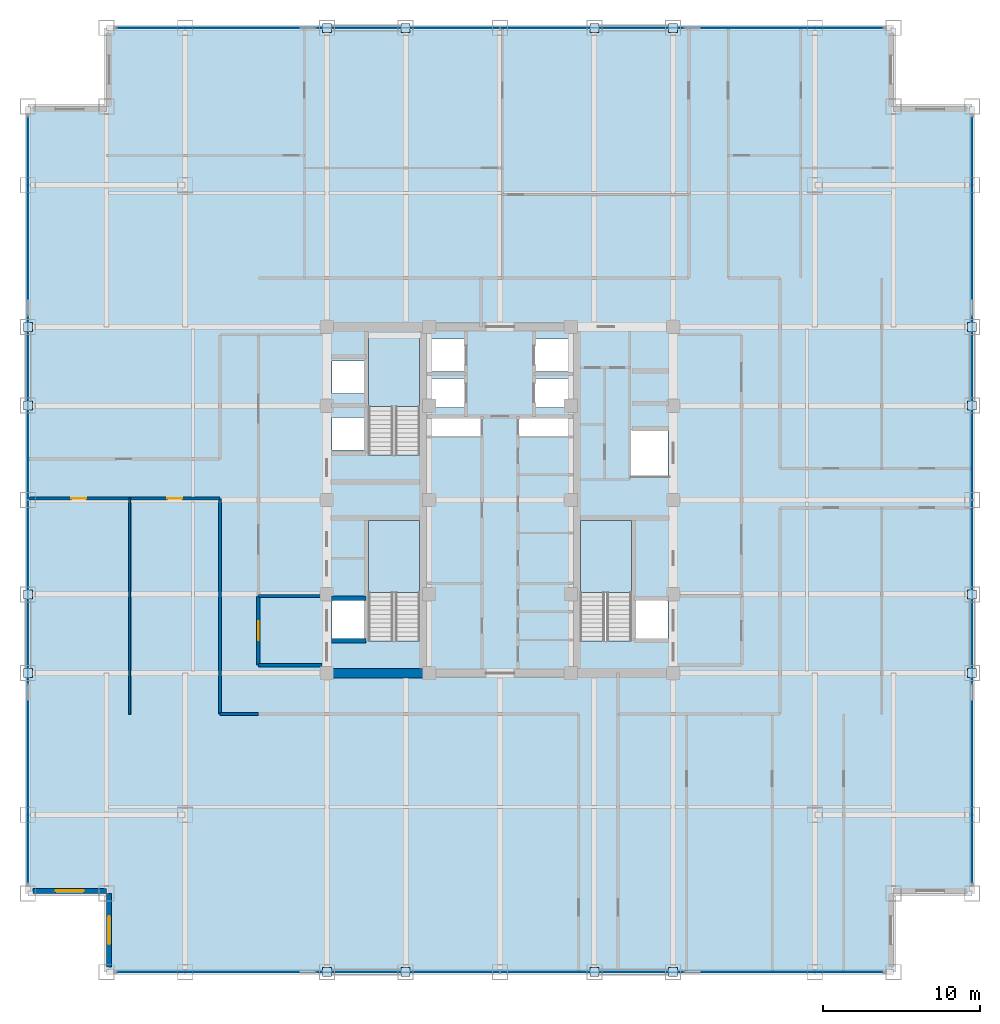
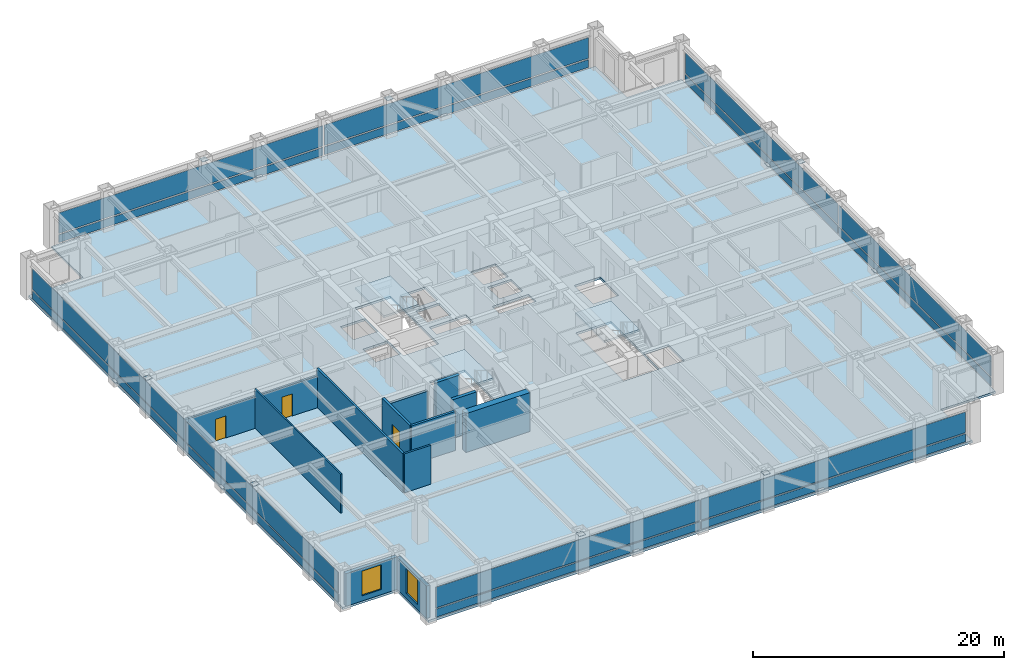
# One storey, part 19 of 25: 32 plates, 12 walls, 4 slabs, 3 doors, 2 windows, 5 openings, 7 elements without a shape of their own.
"""IFC4 building model written with IfcOpenShell, lengths in metres."""

from ifc_helpers import new_model, si_unit, direction, frame, frame_2d, origin, origin_2d, place, context, subcontext, project, spatial, polyline, rectangle, outline, extrude, source, transform, mapped, material, layer, layer_set, type_object, element, fill, aggregate, save


model = new_model("IFC4")

# Units and contexts
model_context = context("Model", 3, precision=1e-05, world=origin(), true_north=direction((0.0, 1.0)))
body_context = subcontext(model_context, "Body", "Model", "MODEL_VIEW")
ifc_project = project(units=[si_unit("LENGTHUNIT", "METRE"), si_unit("AREAUNIT", "SQUARE_METRE"), si_unit("VOLUMEUNIT", "CUBIC_METRE"), si_unit("PLANEANGLEUNIT", "RADIAN"), si_unit("MASSUNIT", "GRAM", prefix="KILO")], contexts=[model_context])

# Site, building, storey
site_placement = place(None, origin())
site = spatial("IfcSite", under=ifc_project, at=site_placement, CompositionType="ELEMENT")
building_placement = place(site_placement, origin())
building = spatial("IfcBuilding", under=site, at=building_placement, Name="Khorayat Bourse Tower", CompositionType="ELEMENT")
storey_placement = place(building_placement, frame((0.0, 0.0, 223.10009765625)))
storey = spatial("IfcBuildingStorey", under=building, at=storey_placement, Name="L52", CompositionType="ELEMENT", Elevation=223.10009765625)

# Stair, slab
ifc_material_1 = material(Name="Concrete C40/50", Category="concrete")
stair_type = type_object("IfcStairType", Name="STR-CORE-1550", PredefinedType="HALF_TURN_STAIR", material=ifc_material_1)
stair_1_placement = place(storey_placement, origin())
stair_1 = element("IfcStair", 1, at=stair_1_placement, inside=storey, type_object=stair_type, Name="L52 Exit Stair ST-1", PredefinedType="HALF_TURN_STAIR")
ifc_layer_1 = layer(ifc_material_1, 0.199951171875)
ifc_layer_set_1 = layer_set([ifc_layer_1], Name="Concrete C40/50")
slab_type_1 = type_object("IfcSlabType", Name="SLB-LANDING-200", PredefinedType="LANDING", material=ifc_layer_set_1)
slab_1_placement = place(storey_placement, frame((0.0, 0.0, 1.7998046875)))
slab_1 = element("IfcSlab", 2, at=slab_1_placement, type_object=slab_type_1, Name="ST-1 landing 1", PredefinedType="LANDING", context=body_context, shape_type="SweptSolid", body=[
    extrude(outline(polyline([(-5.10009765625, -5.8701171875), (-5.10009765625, -1.300048828125), (-8.35009765625, -1.300048828125), (-8.35009765625, -5.8701171875), (-5.10009765625, -5.8701171875)])), origin(), (0.0, 0.0, 1.0), 0.2001953125),
])
aggregate(stair_1, [slab_1])

stair_2_placement = place(storey_placement, origin())
stair_2 = element("IfcStair", 3, at=stair_2_placement, inside=storey, type_object=stair_type, Name="L52 Exit Stair ST-2", PredefinedType="HALF_TURN_STAIR")
slab_2_placement = place(storey_placement, frame((0.0, 0.0, 1.7998046875)))
slab_2 = element("IfcSlab", 4, at=slab_2_placement, type_object=slab_type_1, Name="ST-2 landing 1", PredefinedType="LANDING", context=body_context, shape_type="SweptSolid", body=[
    extrude(outline(polyline([(-5.10009765625, 5.929931640625), (-5.10009765625, 10.5), (-8.35009765625, 10.5), (-8.35009765625, 5.929931640625), (-5.10009765625, 5.929931640625)])), origin(), (0.0, 0.0, 1.0), 0.2001953125),
])
aggregate(stair_2, [slab_2])

stair_3_placement = place(storey_placement, origin())
stair_3 = element("IfcStair", 5, at=stair_3_placement, inside=storey, type_object=stair_type, Name="L52 Exit Stair ST-3", PredefinedType="HALF_TURN_STAIR")
slab_3_placement = place(storey_placement, frame((0.0, 0.0, 1.7998046875)))
slab_3 = element("IfcSlab", 6, at=slab_3_placement, type_object=slab_type_1, Name="ST-3 landing 1", PredefinedType="LANDING", context=body_context, shape_type="SweptSolid", body=[
    extrude(outline(polyline([(8.35009765625, -5.8701171875), (8.35009765625, -1.300048828125), (5.10009765625, -1.300048828125), (5.10009765625, -5.8701171875), (8.35009765625, -5.8701171875)])), origin(), (0.0, 0.0, 1.0), 0.2001953125),
])
aggregate(stair_3, [slab_3])

# Slab
ifc_layer_2 = layer(ifc_material_1, 0.219970703125)
ifc_layer_set_2 = layer_set([ifc_layer_2], Name="Concrete C40/50")
slab_type_2 = type_object("IfcSlabType", Name="SLB-OFFICE-220", PredefinedType="FLOOR", material=ifc_layer_set_2)
slab_4_placement = place(storey_placement, frame((0.0, 0.0, -0.22021484375)))
element("IfcSlab", 7, at=slab_4_placement, inside=storey, type_object=slab_type_2, Name="L52 Main Floor Slab", PredefinedType="FLOOR", context=body_context, shape_type="SweptSolid", body=[
    extrude(outline(polyline([(-25.0, -30.0), (25.0, -30.0), (25.0, -25.0), (30.0, -25.0), (30.0, 25.0), (25.0, 25.0), (25.0, 30.0), (-25.0, 30.0), (-25.0, 25.0), (-30.0, 25.0), (-30.0, -25.0), (-25.0, -25.0), (-25.0, -30.0)]), holes=[polyline([(-8.35009765625, -8.945068359375), (-5.10009765625, -8.945068359375), (-5.10009765625, -1.300048828125), (-8.35009765625, -1.300048828125), (-8.35009765625, -8.945068359375)]), polyline([(-8.35009765625, 2.85498046875), (-5.10009765625, 2.85498046875), (-5.10009765625, 10.5), (-8.35009765625, 10.5), (-8.35009765625, 2.85498046875)]), polyline([(5.10009765625, -8.945068359375), (8.35009765625, -8.945068359375), (8.35009765625, -1.300048828125), (5.10009765625, -1.300048828125), (5.10009765625, -8.945068359375)]), polyline([(-4.3798828125, 8.169921875), (-2.1201171875, 8.169921875), (-2.1201171875, 10.22998046875), (-4.3798828125, 10.22998046875), (-4.3798828125, 8.169921875)]), polyline([(2.1201171875, 8.169921875), (4.3798828125, 8.169921875), (4.3798828125, 10.22998046875), (2.1201171875, 10.22998046875), (2.1201171875, 8.169921875)]), polyline([(-4.3798828125, 5.8701171875), (-2.219970703125, 5.8701171875), (-2.219970703125, 7.72998046875), (-4.3798828125, 7.72998046875), (-4.3798828125, 5.8701171875)]), polyline([(2.219970703125, 5.8701171875), (4.3798828125, 5.8701171875), (4.3798828125, 7.72998046875), (2.219970703125, 7.72998046875), (2.219970703125, 5.8701171875)]), polyline([(-10.679931640625, 3.169921875), (-8.419921875, 3.169921875), (-8.419921875, 5.22998046875), (-10.679931640625, 5.22998046875), (-10.679931640625, 3.169921875)]), polyline([(-10.679931640625, 6.77001953125), (-8.419921875, 6.77001953125), (-8.419921875, 8.830078125), (-10.679931640625, 8.830078125), (-10.679931640625, 6.77001953125)]), polyline([(-10.679931640625, -8.929931640625), (-8.419921875, -8.929931640625), (-8.419921875, -6.3701171875), (-10.679931640625, -6.3701171875), (-10.679931640625, -8.929931640625)]), polyline([(8.419921875, -8.929931640625), (10.679931640625, -8.929931640625), (10.679931640625, -6.3701171875), (8.419921875, -6.3701171875), (8.419921875, -8.929931640625)]), polyline([(8.320068359375, 1.52001953125), (10.679931640625, 1.52001953125), (10.679931640625, 4.47998046875), (8.320068359375, 4.47998046875), (8.320068359375, 1.52001953125)]), polyline([(-4.56005859375, 4.080078125), (-1.18994140625, 4.080078125), (-1.18994140625, 5.219970703125), (-4.56005859375, 5.219970703125), (-4.56005859375, 4.080078125)]), polyline([(1.18994140625, 4.080078125), (4.56005859375, 4.080078125), (4.56005859375, 5.219970703125), (1.18994140625, 5.219970703125), (1.18994140625, 4.080078125)])]), origin(), (0.0, 0.0, 1.0), 0.22021484375),
])

# Plates
ifc_material_2 = material(Name="Steel EN 10025-2 S355J2", Category="steel")
ifc_layer_3 = layer(ifc_material_2, 0.02490234375)
ifc_layer_set_3 = layer_set([ifc_layer_3], Name="Steel EN 10025-2 S355J2")
plate_type_1 = type_object("IfcPlateType", Name="PLT-ENDCAP-25", PredefinedType="SHEET", material=ifc_layer_set_3)
shared_shape_1 = source(origin(), body_context, "Body", "SweptSolid", [
    extrude(rectangle(XDim=0.56005859375, YDim=0.56005859375, at=origin_2d()), origin(), (0.0, 0.0, 1.0), 0.02490234375),
])
for number, where, z_axis, x_axis, name in (
    (8, (-11.0, -30.0, 3.517333984375), (0.0, 0.0, 1.0), (1.0, 0.0, 0.0), "L52 Perimeter Brace End Plate 001"),
    (9, (-6.0, -30.0, 0.237548828125), (0.0, 0.0, 1.0), (1.0, 0.0, 0.0), "L52 Perimeter Brace End Plate 002"),
    (10, (6.0, -30.0, 3.517333984375), (0.0, 0.0, 1.0), (1.0, 0.0, 0.0), "L52 Perimeter Brace End Plate 003"),
    (11, (11.0, -30.0, 0.237548828125), (0.0, 0.0, 1.0), (1.0, 0.0, 0.0), "L52 Perimeter Brace End Plate 004"),
    (12, (-11.0, 30.0, 3.517333984375), (0.0, 0.0, 1.0), (1.0, 0.0, 0.0), "L52 Perimeter Brace End Plate 005"),
    (13, (-6.0, 30.0, 0.237548828125), (0.0, 0.0, 1.0), (1.0, 0.0, 0.0), "L52 Perimeter Brace End Plate 006"),
    (14, (6.0, 30.0, 3.517333984375), (0.0, 0.0, 1.0), (1.0, 0.0, 0.0), "L52 Perimeter Brace End Plate 007"),
    (15, (11.0, 30.0, 0.237548828125), (0.0, 0.0, 1.0), (1.0, 0.0, 0.0), "L52 Perimeter Brace End Plate 008"),
    (16, (-30.0, -11.0, 3.517333984375), (0.0, 0.0, 1.0), (1.0, 0.0, 0.0), "L52 Perimeter Brace End Plate 009"),
    (17, (-30.0, -6.0, 0.237548828125), (0.0, 0.0, 1.0), (1.0, 0.0, 0.0), "L52 Perimeter Brace End Plate 010"),
    (18, (-30.0, 6.0, 3.517333984375), (0.0, 0.0, 1.0), (1.0, 0.0, 0.0), "L52 Perimeter Brace End Plate 011"),
    (19, (-30.0, 11.0, 0.237548828125), (0.0, 0.0, 1.0), (1.0, 0.0, 0.0), "L52 Perimeter Brace End Plate 012"),
    (20, (30.0, -11.0, 3.517333984375), (0.0, 0.0, 1.0), (1.0, 0.0, 0.0), "L52 Perimeter Brace End Plate 013"),
    (21, (30.0, -6.0, 0.237548828125), (0.0, 0.0, 1.0), (1.0, 0.0, 0.0), "L52 Perimeter Brace End Plate 014"),
    (22, (30.0, 6.0, 3.517333984375), (0.0, 0.0, 1.0), (1.0, 0.0, 0.0), "L52 Perimeter Brace End Plate 015"),
    (23, (30.0, 11.0, 0.237548828125), (0.0, 0.0, 1.0), (1.0, 0.0, 0.0), "L52 Perimeter Brace End Plate 016"),
):
    element("IfcPlate", number, at=place(storey_placement, frame(where, z_axis=z_axis, x_axis=x_axis)), inside=storey, type_object=plate_type_1, Name=name, PredefinedType="SHEET", context=body_context, shape_type="MappedRepresentation", body=[
        mapped(shared_shape_1, transform((0.0, 0.0, 0.0), scale=1.0)),
    ])

# Curtain wall, plates
ifc_material_3 = material(Name="Aluminium EN AW-6063 T6", Category="aluminium")
curtain_wall_type = type_object("IfcCurtainWallType", Name="CW-SYS-03", PredefinedType="NOTDEFINED", material=ifc_material_3)
curtain_wall_1_placement = place(storey_placement, origin())
curtain_wall_1 = element("IfcCurtainWall", 24, at=curtain_wall_1_placement, inside=storey, type_object=curtain_wall_type, Name="L52 Curtain Wall CW-L52-S1", PredefinedType="NOTDEFINED")
ifc_material_4 = material(Name="Honed desert limestone insulated spandrel", Category="masonry")
ifc_layer_4 = layer(ifc_material_4, 0.06494140625)
ifc_layer_set_4 = layer_set([ifc_layer_4], Name="Honed desert limestone insulated spandrel")
plate_type_2 = type_object("IfcPlateType", Name="CWP-SPAND-03", PredefinedType="CURTAIN_PANEL", material=ifc_layer_set_4)
shared_shape_2 = source(origin(), body_context, "Body", "SweptSolid", [
    extrude(rectangle(XDim=24.27001953125, YDim=0.06494140625, at=origin_2d()), origin(), (0.0, 0.0, 1.0), 0.77001953125),
])
plate_1_placement = place(storey_placement, frame((-12.195068359375, -30.0, 0.119873046875), z_axis=(0.0, 0.0, 1.0), x_axis=(1.0, 0.0, 0.0)))
plate_1 = element("IfcPlate", 25, at=plate_1_placement, type_object=plate_type_2, Name="CW-L52-S1 Spandrel Panel 1-1", PredefinedType="CURTAIN_PANEL", context=body_context, shape_type="MappedRepresentation", body=[
    mapped(shared_shape_2, transform((0.0, 0.0, 0.0), scale=1.0)),
])
plate_2_placement = place(storey_placement, frame((12.195068359375, -30.0, 0.119873046875), z_axis=(0.0, 0.0, 1.0), x_axis=(1.0, 0.0, 0.0)))
plate_2 = element("IfcPlate", 26, at=plate_2_placement, type_object=plate_type_2, Name="CW-L52-S1 Spandrel Panel 2-1", PredefinedType="CURTAIN_PANEL", context=body_context, shape_type="MappedRepresentation", body=[
    mapped(shared_shape_2, transform((0.0, 0.0, 0.0), scale=1.0)),
])

curtain_wall_2_placement = place(storey_placement, origin())
curtain_wall_2 = element("IfcCurtainWall", 27, at=curtain_wall_2_placement, inside=storey, type_object=curtain_wall_type, Name="L52 Curtain Wall CW-L52-N1", PredefinedType="NOTDEFINED")
plate_3_placement = place(storey_placement, frame((-12.195068359375, 30.0, 0.119873046875), z_axis=(0.0, 0.0, 1.0), x_axis=(1.0, 0.0, 0.0)))
plate_3 = element("IfcPlate", 28, at=plate_3_placement, type_object=plate_type_2, Name="CW-L52-N1 Spandrel Panel 1-1", PredefinedType="CURTAIN_PANEL", context=body_context, shape_type="MappedRepresentation", body=[
    mapped(shared_shape_2, transform((0.0, 0.0, 0.0), scale=1.0)),
])
plate_4_placement = place(storey_placement, frame((12.195068359375, 30.0, 0.119873046875), z_axis=(0.0, 0.0, 1.0), x_axis=(1.0, 0.0, 0.0)))
plate_4 = element("IfcPlate", 29, at=plate_4_placement, type_object=plate_type_2, Name="CW-L52-N1 Spandrel Panel 2-1", PredefinedType="CURTAIN_PANEL", context=body_context, shape_type="MappedRepresentation", body=[
    mapped(shared_shape_2, transform((0.0, 0.0, 0.0), scale=1.0)),
])

curtain_wall_3_placement = place(storey_placement, origin())
curtain_wall_3 = element("IfcCurtainWall", 30, at=curtain_wall_3_placement, inside=storey, type_object=curtain_wall_type, Name="L52 Curtain Wall CW-L52-W1", PredefinedType="NOTDEFINED")
plate_5_placement = place(storey_placement, frame((-30.0, -12.195068359375, 0.119873046875), z_axis=(0.0, 0.0, 1.0), x_axis=(0.0, 1.0, 0.0)))
plate_5 = element("IfcPlate", 31, at=plate_5_placement, type_object=plate_type_2, Name="CW-L52-W1 Spandrel Panel 1-1", PredefinedType="CURTAIN_PANEL", context=body_context, shape_type="MappedRepresentation", body=[
    mapped(shared_shape_2, transform((0.0, 0.0, 0.0), scale=1.0)),
])
plate_6_placement = place(storey_placement, frame((-30.0, 12.195068359375, 0.119873046875), z_axis=(0.0, 0.0, 1.0), x_axis=(0.0, 1.0, 0.0)))
plate_6 = element("IfcPlate", 32, at=plate_6_placement, type_object=plate_type_2, Name="CW-L52-W1 Spandrel Panel 2-1", PredefinedType="CURTAIN_PANEL", context=body_context, shape_type="MappedRepresentation", body=[
    mapped(shared_shape_2, transform((0.0, 0.0, 0.0), scale=1.0)),
])

curtain_wall_4_placement = place(storey_placement, origin())
curtain_wall_4 = element("IfcCurtainWall", 33, at=curtain_wall_4_placement, inside=storey, type_object=curtain_wall_type, Name="L52 Curtain Wall CW-L52-E1", PredefinedType="NOTDEFINED")
plate_7_placement = place(storey_placement, frame((30.0, -12.195068359375, 0.119873046875), z_axis=(0.0, 0.0, 1.0), x_axis=(0.0, 1.0, 0.0)))
plate_7 = element("IfcPlate", 34, at=plate_7_placement, type_object=plate_type_2, Name="CW-L52-E1 Spandrel Panel 1-1", PredefinedType="CURTAIN_PANEL", context=body_context, shape_type="MappedRepresentation", body=[
    mapped(shared_shape_2, transform((0.0, 0.0, 0.0), scale=1.0)),
])
plate_8_placement = place(storey_placement, frame((30.0, 12.195068359375, 0.119873046875), z_axis=(0.0, 0.0, 1.0), x_axis=(0.0, 1.0, 0.0)))
plate_8 = element("IfcPlate", 35, at=plate_8_placement, type_object=plate_type_2, Name="CW-L52-E1 Spandrel Panel 2-1", PredefinedType="CURTAIN_PANEL", context=body_context, shape_type="MappedRepresentation", body=[
    mapped(shared_shape_2, transform((0.0, 0.0, 0.0), scale=1.0)),
])

# Plate
ifc_material_5 = material(Name="Low-E solar-control laminated double glazing", Category="glass")
ifc_layer_5 = layer(ifc_material_5, 0.035888671875)
ifc_layer_set_5 = layer_set([ifc_layer_5], Name="Low-E solar-control laminated double glazing")
plate_type_3 = type_object("IfcPlateType", Name="CWP-VIS-01", PredefinedType="CURTAIN_PANEL", material=ifc_layer_set_5)
shared_shape_3 = source(origin(), body_context, "Body", "SweptSolid", [
    extrude(rectangle(XDim=24.27001953125, YDim=0.035888671875, at=origin_2d()), origin(), (0.0, 0.0, 1.0), 2.0),
])
plate_9_placement = place(storey_placement, frame((-12.195068359375, -30.0, 1.010009765625), z_axis=(0.0, 0.0, 1.0), x_axis=(1.0, 0.0, 0.0)))
plate_9 = element("IfcPlate", 36, at=plate_9_placement, type_object=plate_type_3, Name="CW-L52-S1 Vision Panel 1-2", PredefinedType="CURTAIN_PANEL", context=body_context, shape_type="MappedRepresentation", body=[
    mapped(shared_shape_3, transform((0.0, 0.0, 0.0), scale=1.0)),
])

plate_10_placement = place(storey_placement, frame((12.195068359375, -30.0, 1.010009765625), z_axis=(0.0, 0.0, 1.0), x_axis=(1.0, 0.0, 0.0)))
plate_10 = element("IfcPlate", 37, at=plate_10_placement, type_object=plate_type_3, Name="CW-L52-S1 Vision Panel 2-2", PredefinedType="CURTAIN_PANEL", context=body_context, shape_type="MappedRepresentation", body=[
    mapped(shared_shape_3, transform((0.0, 0.0, 0.0), scale=1.0)),
])

aggregate(curtain_wall_1, [plate_1, plate_9, plate_2, plate_10])

plate_11_placement = place(storey_placement, frame((-12.195068359375, 30.0, 1.010009765625), z_axis=(0.0, 0.0, 1.0), x_axis=(1.0, 0.0, 0.0)))
plate_11 = element("IfcPlate", 38, at=plate_11_placement, type_object=plate_type_3, Name="CW-L52-N1 Vision Panel 1-2", PredefinedType="CURTAIN_PANEL", context=body_context, shape_type="MappedRepresentation", body=[
    mapped(shared_shape_3, transform((0.0, 0.0, 0.0), scale=1.0)),
])

plate_12_placement = place(storey_placement, frame((12.195068359375, 30.0, 1.010009765625), z_axis=(0.0, 0.0, 1.0), x_axis=(1.0, 0.0, 0.0)))
plate_12 = element("IfcPlate", 39, at=plate_12_placement, type_object=plate_type_3, Name="CW-L52-N1 Vision Panel 2-2", PredefinedType="CURTAIN_PANEL", context=body_context, shape_type="MappedRepresentation", body=[
    mapped(shared_shape_3, transform((0.0, 0.0, 0.0), scale=1.0)),
])

aggregate(curtain_wall_2, [plate_3, plate_11, plate_4, plate_12])

plate_13_placement = place(storey_placement, frame((-30.0, -12.195068359375, 1.010009765625), z_axis=(0.0, 0.0, 1.0), x_axis=(0.0, 1.0, 0.0)))
plate_13 = element("IfcPlate", 40, at=plate_13_placement, type_object=plate_type_3, Name="CW-L52-W1 Vision Panel 1-2", PredefinedType="CURTAIN_PANEL", context=body_context, shape_type="MappedRepresentation", body=[
    mapped(shared_shape_3, transform((0.0, 0.0, 0.0), scale=1.0)),
])

plate_14_placement = place(storey_placement, frame((-30.0, 12.195068359375, 1.010009765625), z_axis=(0.0, 0.0, 1.0), x_axis=(0.0, 1.0, 0.0)))
plate_14 = element("IfcPlate", 41, at=plate_14_placement, type_object=plate_type_3, Name="CW-L52-W1 Vision Panel 2-2", PredefinedType="CURTAIN_PANEL", context=body_context, shape_type="MappedRepresentation", body=[
    mapped(shared_shape_3, transform((0.0, 0.0, 0.0), scale=1.0)),
])

aggregate(curtain_wall_3, [plate_5, plate_13, plate_6, plate_14])

plate_15_placement = place(storey_placement, frame((30.0, -12.195068359375, 1.010009765625), z_axis=(0.0, 0.0, 1.0), x_axis=(0.0, 1.0, 0.0)))
plate_15 = element("IfcPlate", 42, at=plate_15_placement, type_object=plate_type_3, Name="CW-L52-E1 Vision Panel 1-2", PredefinedType="CURTAIN_PANEL", context=body_context, shape_type="MappedRepresentation", body=[
    mapped(shared_shape_3, transform((0.0, 0.0, 0.0), scale=1.0)),
])

plate_16_placement = place(storey_placement, frame((30.0, 12.195068359375, 1.010009765625), z_axis=(0.0, 0.0, 1.0), x_axis=(0.0, 1.0, 0.0)))
plate_16 = element("IfcPlate", 43, at=plate_16_placement, type_object=plate_type_3, Name="CW-L52-E1 Vision Panel 2-2", PredefinedType="CURTAIN_PANEL", context=body_context, shape_type="MappedRepresentation", body=[
    mapped(shared_shape_3, transform((0.0, 0.0, 0.0), scale=1.0)),
])

aggregate(curtain_wall_4, [plate_7, plate_15, plate_8, plate_16])

# Wall
ifc_material_6 = material(Name="Concrete C60/75", Category="concrete")
ifc_layer_6 = layer(ifc_material_6, 0.60009765625)
ifc_layer_set_6 = layer_set([ifc_layer_6], Name="Concrete C60/75")
wall_type_1 = type_object("IfcWallType", Name="WAL-CORE-600", PredefinedType="SHEAR", material=ifc_layer_set_6)
shared_shape_4 = source(origin(), body_context, "Body", "SweptSolid", [
    extrude(rectangle(XDim=5.89990234375, YDim=0.60009765625, at=frame_2d((2.949951171875, 0.0))), origin(), (0.0, 0.0, 1.0), 3.77978515625),
])
wall_1_placement = place(storey_placement, frame((-10.75, -11.0, 0.0), z_axis=(0.0, 0.0, 1.0), x_axis=(1.0, 0.0, 0.0)))
element("IfcWall", 44, at=wall_1_placement, inside=storey, type_object=wall_type_1, Name="L52 Core Shear Wall PIER-WS", PredefinedType="SHEAR", context=body_context, shape_type="MappedRepresentation", body=[
    mapped(shared_shape_4, transform((0.0, 0.0, 0.0), scale=1.0)),
])

# Wall, opening, window
ifc_material_7 = material(Name="Precast concrete C45/55", Category="concrete")
ifc_layer_7 = layer(ifc_material_7, 0.320068359375)
ifc_layer_set_7 = layer_set([ifc_layer_7], Name="Precast concrete C45/55")
wall_type_2 = type_object("IfcWallType", Name="WAL-EXT-STONE-320", PredefinedType="STANDARD", material=ifc_layer_set_7)
shared_shape_5 = source(origin(), body_context, "Body", "SweptSolid", [
    extrude(rectangle(XDim=4.679931640625, YDim=0.320068359375, at=frame_2d((2.33984375, 0.0))), origin(), (0.0, 0.0, 1.0), 3.163818359375),
])
wall_2_placement = place(storey_placement, frame((-25.0, -24.840087890625, 0.0), z_axis=(0.0, 0.0, 1.0), x_axis=(-1.0, 0.0, 0.0)))
wall_2 = element("IfcWall", 45, at=wall_2_placement, inside=storey, type_object=wall_type_2, Name="L52 Re-Entrant Notch Limestone Wall SW-H", PredefinedType="STANDARD", context=body_context, shape_type="MappedRepresentation", body=[
    mapped(shared_shape_5, transform((0.0, 0.0, 0.0), scale=1.0)),
])
shared_shape_6 = source(origin(), body_context, "Body", "SweptSolid", [
    extrude(rectangle(XDim=1.800048828125, YDim=2.39990234375, at=frame_2d((0.89990234375, 1.199951171875))), frame((0.0, 0.169921875, 0.0), z_axis=(0.0, -1.0, 0.0), x_axis=(1.0, 0.0, 0.0)), (0.0, 0.0, 1.0), 0.340087890625),
])
opening_1_placement = place(wall_2_placement, frame((1.43994140625, 0.0, 0.5)))
opening_1 = element("IfcOpeningElement", 46, at=opening_1_placement, cuts=wall_2, Name="Opening WN-04", PredefinedType="OPENING", context=body_context, shape_type="MappedRepresentation", body=[
    mapped(shared_shape_6, transform((0.0, 0.0, 0.0), scale=1.0)),
])
ifc_material_8 = material(Name="Low-E acoustic laminated double glazing", Category="glass")
window_type = type_object("IfcWindowType", Name="WIN-NOTCH-1800x2400", PartitioningType="SINGLE_PANEL", PredefinedType="WINDOW", material=ifc_material_8)
shared_shape_7 = source(origin(), body_context, "Body", "SweptSolid", [
    extrude(rectangle(XDim=1.800048828125, YDim=2.39990234375, at=frame_2d((0.89990234375, 1.199951171875))), frame((0.0, 0.030029296875, 0.0), z_axis=(0.0, -1.0, 0.0), x_axis=(1.0, 0.0, 0.0)), (0.0, 0.0, 1.0), 0.06005859375),
])
window_1_placement = place(opening_1_placement, origin())
window_1 = element("IfcWindow", 47, at=window_1_placement, inside=storey, type_object=window_type, Name="L52 Facade Window 1", OverallHeight=2.39990234375, OverallWidth=1.800048828125, PartitioningType="SINGLE_PANEL", PredefinedType="WINDOW", context=body_context, shape_type="MappedRepresentation", body=[
    mapped(shared_shape_7, transform((0.0, 0.0, 0.0), scale=1.0)),
])
fill(opening_1, window_1)

wall_3_placement = place(storey_placement, frame((-24.840087890625, -29.679931640625, 0.0), z_axis=(0.0, 0.0, 1.0), x_axis=(0.0, 1.0, 0.0)))
wall_3 = element("IfcWall", 48, at=wall_3_placement, inside=storey, type_object=wall_type_2, Name="L52 Re-Entrant Notch Limestone Wall SW-V", PredefinedType="STANDARD", context=body_context, shape_type="MappedRepresentation", body=[
    mapped(shared_shape_5, transform((0.0, 0.0, 0.0), scale=1.0)),
])
opening_2_placement = place(wall_3_placement, frame((1.43994140625, 0.0, 0.5)))
opening_2 = element("IfcOpeningElement", 49, at=opening_2_placement, cuts=wall_3, Name="Opening WN-04", PredefinedType="OPENING", context=body_context, shape_type="MappedRepresentation", body=[
    mapped(shared_shape_6, transform((0.0, 0.0, 0.0), scale=1.0)),
])
window_2_placement = place(opening_2_placement, origin())
window_2 = element("IfcWindow", 50, at=window_2_placement, inside=storey, type_object=window_type, Name="L52 Facade Window 1", OverallHeight=2.39990234375, OverallWidth=1.800048828125, PartitioningType="SINGLE_PANEL", PredefinedType="WINDOW", context=body_context, shape_type="MappedRepresentation", body=[
    mapped(shared_shape_7, transform((0.0, 0.0, 0.0), scale=1.0)),
])
fill(opening_2, window_2)

# Walls
ifc_material_9 = material(Name="Aerated concrete blockwork", Category="masonry")
ifc_layer_8 = layer(ifc_material_9, 0.219970703125)
ifc_layer_set_8 = layer_set([ifc_layer_8], Name="Aerated concrete blockwork")
wall_type_3 = type_object("IfcWallType", Name="WAL-PART-FF-220", PredefinedType="PARTITIONING", material=ifc_layer_set_8)
shared_shape_8 = source(origin(), body_context, "Body", "SweptSolid", [
    extrude(rectangle(XDim=4.050048828125, YDim=0.219970703125, at=frame_2d((2.02490234375, 0.0))), origin(), (0.0, 0.0, 1.0), 3.0849609375),
])
wall_4_placement = place(storey_placement, frame((-15.35009765625, -6.10009765625, 0.0), z_axis=(0.0, 0.0, 1.0), x_axis=(1.0, 0.0, 0.0)))
element("IfcWall", 51, at=wall_4_placement, inside=storey, type_object=wall_type_3, Name="L52 Partition WAL-L52-FFLW-N", PredefinedType="PARTITIONING", context=body_context, shape_type="MappedRepresentation", body=[
    mapped(shared_shape_8, transform((0.0, 0.0, 0.0), scale=1.0)),
])
ifc_material_10 = material(Name="Concrete C50/60", Category="concrete")
ifc_layer_9 = layer(ifc_material_10, 0.300048828125)
ifc_layer_set_9 = layer_set([ifc_layer_9], Name="Concrete C50/60")
wall_type_4 = type_object("IfcWallType", Name="WAL-SHAFT-300", PredefinedType="SHEAR", material=ifc_layer_set_9)
shared_shape_9 = source(origin(), body_context, "Body", "SweptSolid", [
    extrude(rectangle(XDim=2.199951171875, YDim=0.300048828125, at=frame_2d((1.10009765625, 0.0))), origin(), (0.0, 0.0, 1.0), 3.77978515625),
])
for number, where, z_axis, x_axis, name in (
    (52, (-10.699951171875, -8.949951171875, 0.0), (0.0, 0.0, 1.0), (1.0, 0.0, 0.0), "L52 Partition WAL-L52-WPIER-FF1S"),
    (53, (-10.699951171875, -6.25, 0.0), (0.0, 0.0, 1.0), (1.0, 0.0, 0.0), "L52 Partition WAL-L52-WPIER-FF1N"),
):
    element("IfcWall", number, at=place(storey_placement, frame(where, z_axis=z_axis, x_axis=x_axis)), inside=storey, type_object=wall_type_4, Name=name, PredefinedType="SHEAR", context=body_context, shape_type="MappedRepresentation", body=[
        mapped(shared_shape_9, transform((0.0, 0.0, 0.0), scale=1.0)),
    ])
shared_shape_10 = source(origin(), body_context, "Body", "SweptSolid", [
    extrude(rectangle(XDim=4.050048828125, YDim=0.219970703125, at=frame_2d((2.02490234375, 0.0))), origin(), (0.0, 0.0, 1.0), 3.77978515625),
])
wall_5_placement = place(storey_placement, frame((-15.35009765625, -10.5, 0.0), z_axis=(0.0, 0.0, 1.0), x_axis=(1.0, 0.0, 0.0)))
element("IfcWall", 54, at=wall_5_placement, inside=storey, type_object=wall_type_3, Name="L52 Partition WAL-L52-FFLW-S", PredefinedType="PARTITIONING", context=body_context, shape_type="MappedRepresentation", body=[
    mapped(shared_shape_10, transform((0.0, 0.0, 0.0), scale=1.0)),
])

# Wall, opening, door
shared_shape_11 = source(origin(), body_context, "Body", "SweptSolid", [
    extrude(rectangle(XDim=4.39990234375, YDim=0.219970703125, at=frame_2d((2.199951171875, 0.0))), origin(), (0.0, 0.0, 1.0), 3.77978515625),
])
wall_6_placement = place(storey_placement, frame((-15.35009765625, -10.5, 0.0), z_axis=(0.0, 0.0, 1.0), x_axis=(0.0, 1.0, 0.0)))
wall_6 = element("IfcWall", 55, at=wall_6_placement, inside=storey, type_object=wall_type_3, Name="L52 Partition WAL-L52-FFLW-W", PredefinedType="PARTITIONING", context=body_context, shape_type="MappedRepresentation", body=[
    mapped(shared_shape_11, transform((0.0, 0.0, 0.0), scale=1.0)),
])
shared_shape_12 = source(origin(), body_context, "Body", "SweptSolid", [
    extrude(rectangle(XDim=1.199951171875, YDim=2.199951171875, at=frame_2d((0.60009765625, 1.10009765625))), frame((0.0, 0.119873046875, 0.0), z_axis=(0.0, -1.0, 0.0), x_axis=(1.0, 0.0, 0.0)), (0.0, 0.0, 1.0), 0.239990234375),
])
opening_3_placement = place(wall_6_placement, frame((1.60009765625, 0.0, 0.0)))
opening_3 = element("IfcOpeningElement", 56, at=opening_3_placement, cuts=wall_6, Name="Opening DI-02", PredefinedType="OPENING", context=body_context, shape_type="MappedRepresentation", body=[
    mapped(shared_shape_12, transform((0.0, 0.0, 0.0), scale=1.0)),
])
ifc_material_11 = material(Name="Fire-rated steel double-seal leaf", Category="steel")
door_type_1 = type_object("IfcDoorType", Name="DR-INT-FFLOBBY-1200", OperationType="NOTDEFINED", PredefinedType="DOOR", material=ifc_material_11)
shared_shape_13 = source(origin(), body_context, "Body", "SweptSolid", [
    extrude(rectangle(XDim=1.199951171875, YDim=2.199951171875, at=frame_2d((0.60009765625, 1.10009765625))), frame((0.0, 0.02490234375, 0.0), z_axis=(0.0, -1.0, 0.0), x_axis=(1.0, 0.0, 0.0)), (0.0, 0.0, 1.0), 0.050048828125),
])
door_1_placement = place(opening_3_placement, origin())
door_1 = element("IfcDoor", 57, at=door_1_placement, inside=storey, type_object=door_type_1, Name="L52 West Firefighting Lobby Door", OperationType="SINGLE_SWING_LEFT", OverallHeight=2.199951171875, OverallWidth=1.199951171875, PredefinedType="DOOR", context=body_context, shape_type="MappedRepresentation", body=[
    mapped(shared_shape_13, transform((0.0, 0.0, 0.0), scale=1.0)),
])
fill(opening_3, door_1)

# Walls
ifc_material_12 = material(Name="Gypsum plasterboard acoustic stud wall")
ifc_layer_10 = layer(ifc_material_12, 0.179931640625)
ifc_layer_set_10 = layer_set([ifc_layer_10], Name="Gypsum plasterboard acoustic stud wall")
wall_type_5 = type_object("IfcWallType", Name="WAL-PART-CORR-180", PredefinedType="PARTITIONING", material=ifc_layer_set_10)
shared_shape_14 = source(origin(), body_context, "Body", "SweptSolid", [
    extrude(rectangle(XDim=2.449951171875, YDim=0.179931640625, at=frame_2d((1.22509765625, 0.0))), origin(), (0.0, 0.0, 1.0), 3.77978515625),
])
wall_7_placement = place(storey_placement, frame((-17.800048828125, -13.60009765625, 0.0), z_axis=(0.0, 0.0, 1.0), x_axis=(1.0, 0.0, 0.0)))
element("IfcWall", 58, at=wall_7_placement, inside=storey, type_object=wall_type_5, Name="L52 Partition WAL-L52-C2-WS", PredefinedType="PARTITIONING", context=body_context, shape_type="MappedRepresentation", body=[
    mapped(shared_shape_14, transform((0.0, 0.0, 0.0), scale=1.0)),
])
ifc_material_13 = material(Name="Gypsum plasterboard partition")
ifc_layer_11 = layer(ifc_material_13, 0.125)
ifc_layer_set_11 = layer_set([ifc_layer_11], Name="Gypsum plasterboard partition")
wall_type_6 = type_object("IfcWallType", Name="WAL-PART-ROOM-125", PredefinedType="PARTITIONING", material=ifc_layer_set_11)
shared_shape_15 = source(origin(), body_context, "Body", "SweptSolid", [
    extrude(rectangle(XDim=13.7001953125, YDim=0.125, at=frame_2d((6.85009765625, 0.0))), origin(), (0.0, 0.0, 1.0), 3.77978515625),
])
wall_8_placement = place(storey_placement, frame((-23.533935546875, -13.60009765625, 0.0), z_axis=(0.0, 0.0, 1.0), x_axis=(0.0, 1.0, 0.0)))
element("IfcWall", 59, at=wall_8_placement, inside=storey, type_object=wall_type_6, Name="L52 Partition WAL-L52-WS-DV", PredefinedType="PARTITIONING", context=body_context, shape_type="MappedRepresentation", body=[
    mapped(shared_shape_15, transform((0.0, 0.0, 0.0), scale=1.0)),
])

# Wall, openings, doors
shared_shape_16 = source(origin(), body_context, "Body", "SweptSolid", [
    extrude(rectangle(XDim=12.199951171875, YDim=0.179931640625, at=frame_2d((6.10009765625, 0.0))), origin(), (0.0, 0.0, 1.0), 3.0849609375),
])
wall_9_placement = place(storey_placement, frame((-30.0, 0.10009765625, 0.0), z_axis=(0.0, 0.0, 1.0), x_axis=(1.0, 0.0, 0.0)))
wall_9 = element("IfcWall", 60, at=wall_9_placement, inside=storey, type_object=wall_type_5, Name="L52 Partition WAL-L52-WS-SPK", PredefinedType="PARTITIONING", context=body_context, shape_type="MappedRepresentation", body=[
    mapped(shared_shape_16, transform((0.0, 0.0, 0.0), scale=1.0)),
])
shared_shape_17 = source(origin(), body_context, "Body", "SweptSolid", [
    extrude(rectangle(XDim=0.949951171875, YDim=2.14990234375, at=frame_2d((0.47509765625, 1.074951171875))), frame((0.0, 0.099853515625, 0.0), z_axis=(0.0, -1.0, 0.0), x_axis=(1.0, 0.0, 0.0)), (0.0, 0.0, 1.0), 0.199951171875),
])
opening_4_placement = place(wall_9_placement, frame((2.758056640625, 0.0, 0.0)))
opening_4 = element("IfcOpeningElement", 61, at=opening_4_placement, cuts=wall_9, Name="Opening DI-05", PredefinedType="OPENING", context=body_context, shape_type="MappedRepresentation", body=[
    mapped(shared_shape_17, transform((0.0, 0.0, 0.0), scale=1.0)),
])
opening_5_placement = place(wall_9_placement, frame((8.85791015625, 0.0, 0.0)))
opening_5 = element("IfcOpeningElement", 62, at=opening_5_placement, cuts=wall_9, Name="Opening DI-05", PredefinedType="OPENING", context=body_context, shape_type="MappedRepresentation", body=[
    mapped(shared_shape_17, transform((0.0, 0.0, 0.0), scale=1.0)),
])
ifc_material_14 = material(Name="Acoustic oak veneer office door")
door_type_2 = type_object("IfcDoorType", Name="DR-INT-OFFICE-950", OperationType="NOTDEFINED", PredefinedType="DOOR", material=ifc_material_14)
shared_shape_18 = source(origin(), body_context, "Body", "SweptSolid", [
    extrude(rectangle(XDim=0.949951171875, YDim=2.14990234375, at=frame_2d((0.47509765625, 1.074951171875))), frame((0.0, 0.02490234375, 0.0), z_axis=(0.0, -1.0, 0.0), x_axis=(1.0, 0.0, 0.0)), (0.0, 0.0, 1.0), 0.050048828125),
])
door_2_placement = place(opening_4_placement, origin())
door_2 = element("IfcDoor", 63, at=door_2_placement, inside=storey, type_object=door_type_2, Name="L52 Brokerage Seminar Room WSA Door", OperationType="SINGLE_SWING_LEFT", OverallHeight=2.14990234375, OverallWidth=0.949951171875, PredefinedType="DOOR", context=body_context, shape_type="MappedRepresentation", body=[
    mapped(shared_shape_18, transform((0.0, 0.0, 0.0), scale=1.0)),
])
fill(opening_4, door_2)
door_3_placement = place(opening_5_placement, origin())
door_3 = element("IfcDoor", 64, at=door_3_placement, inside=storey, type_object=door_type_2, Name="L52 Market Committee Conference Room WSB Door", OperationType="SINGLE_SWING_RIGHT", OverallHeight=2.14990234375, OverallWidth=0.949951171875, PredefinedType="DOOR", context=body_context, shape_type="MappedRepresentation", body=[
    mapped(shared_shape_18, transform((0.0, 0.0, 0.0), scale=1.0)),
])
fill(opening_5, door_3)

# Wall
shared_shape_19 = source(origin(), body_context, "Body", "SweptSolid", [
    extrude(rectangle(XDim=13.7001953125, YDim=0.179931640625, at=frame_2d((6.85009765625, 0.0))), origin(), (0.0, 0.0, 1.0), 3.77978515625),
])
wall_10_placement = place(storey_placement, frame((-17.800048828125, -13.60009765625, 0.0), z_axis=(0.0, 0.0, 1.0), x_axis=(0.0, 1.0, 0.0)))
element("IfcWall", 65, at=wall_10_placement, inside=storey, type_object=wall_type_5, Name="L52 Partition WAL-L52-WS-IN", PredefinedType="PARTITIONING", context=body_context, shape_type="MappedRepresentation", body=[
    mapped(shared_shape_19, transform((0.0, 0.0, 0.0), scale=1.0)),
])

save(model, "model.ifc")
